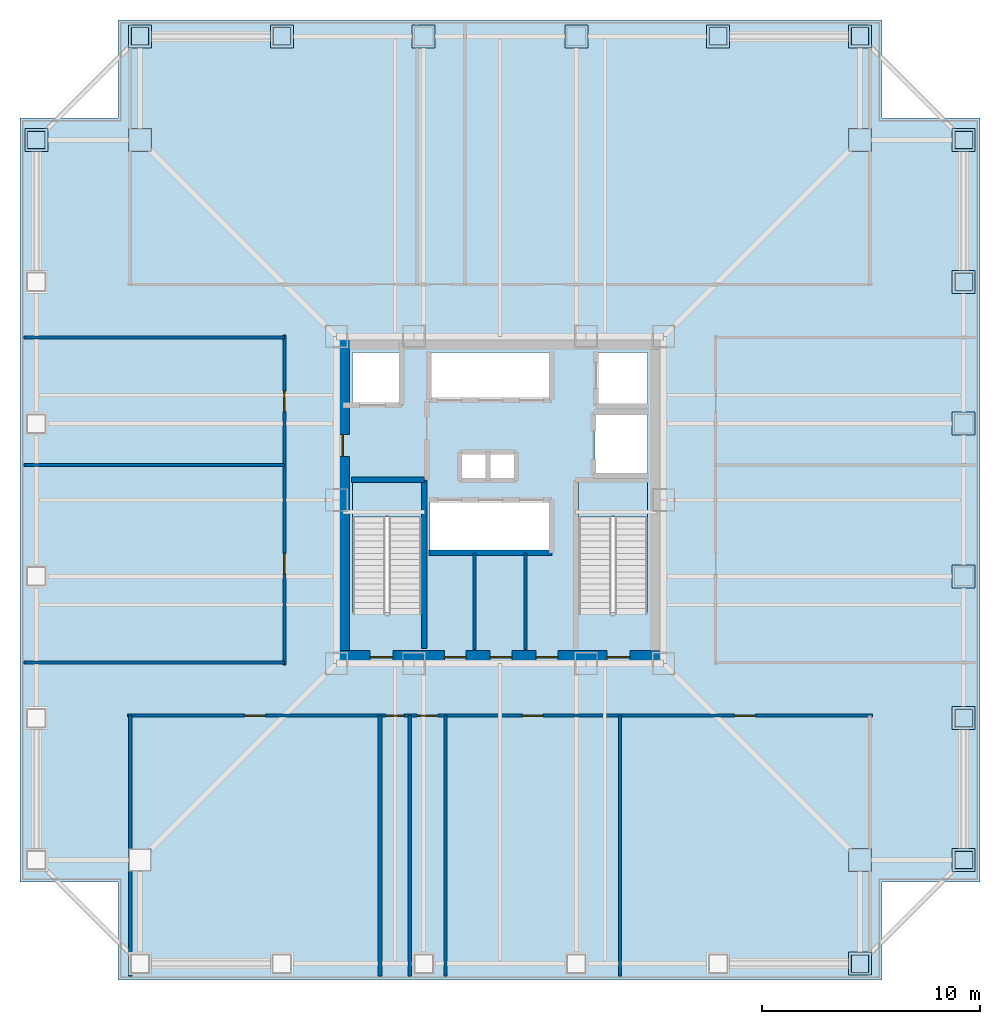
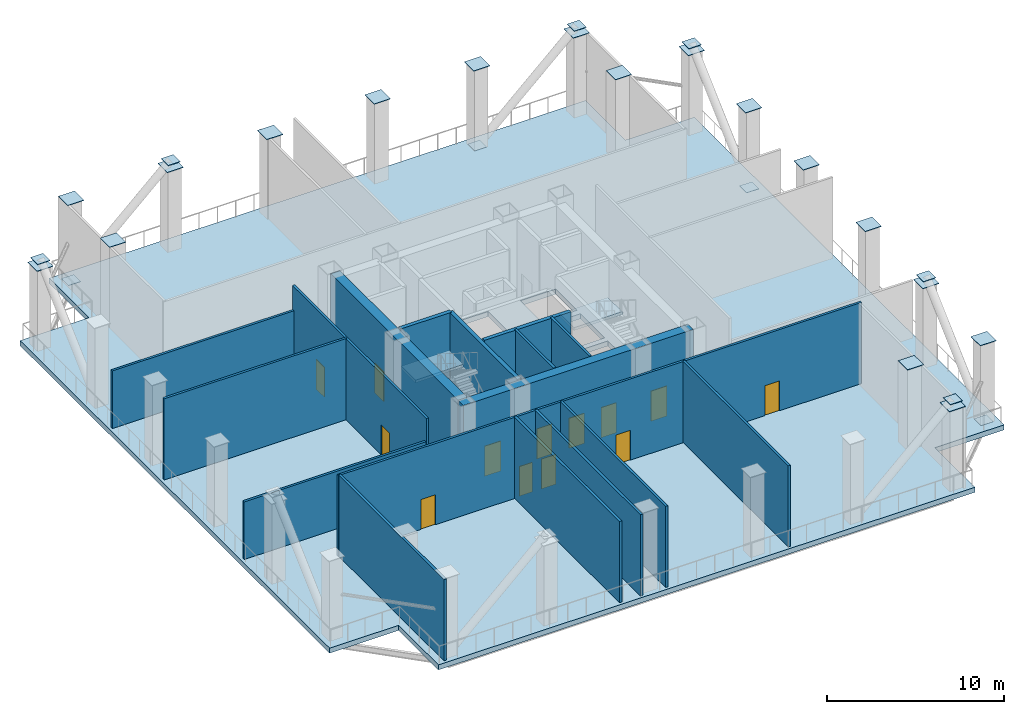
# One storey, part 2 of 7: 27 plates, 17 walls, 13 doors, 3 slabs, 13 openings, 2 elements without a shape of their own.
"""IFC4 building model written with IfcOpenShell, lengths in metres."""

from ifc_helpers import new_model, si_unit, direction, frame, frame_2d, origin, origin_2d, place, context, subcontext, project, spatial, polyline, rectangle, outline, extrude, material, layer, layer_set, type_object, element, fill, aggregate, save


model = new_model("IFC4")

# Units and contexts
model_context = context("Model", 3, precision=1e-05, world=origin(), true_north=direction((0.0, 1.0)))
body_context = subcontext(model_context, "Body", "Model", "MODEL_VIEW")
ifc_project = project(units=[si_unit("LENGTHUNIT", "METRE"), si_unit("AREAUNIT", "SQUARE_METRE"), si_unit("VOLUMEUNIT", "CUBIC_METRE"), si_unit("PLANEANGLEUNIT", "RADIAN"), si_unit("MASSUNIT", "GRAM", prefix="KILO")], contexts=[model_context])

# Site, building, storey
site_placement = place(None, origin())
site = spatial("IfcSite", under=ifc_project, at=site_placement, CompositionType="ELEMENT")
building_placement = place(site_placement, origin())
building = spatial("IfcBuilding", under=site, at=building_placement, Name="Trevonay Congress Spire", CompositionType="ELEMENT")
storey_placement = place(building_placement, frame((0.0, 0.0, 160.199951171875)))
storey = spatial("IfcBuildingStorey", under=building, at=storey_placement, Name="L41", CompositionType="ELEMENT", Elevation=160.199951171875)

# Plates
ifc_material_1 = material(Name="Steel ASTM A572 Grade 50", Category="steel")
ifc_layer_1 = layer(ifc_material_1, 0.034912109375, Name="Steel ASTM A572 Grade 50")
ifc_layer_set_1 = layer_set([ifc_layer_1], Name="Steel ASTM A572 Grade 50")
plate_type_1 = type_object("IfcPlateType", Name="PLT-ENDCAP-EXT-105", PredefinedType="USERDEFINED", material=ifc_layer_set_1)
for number, where, z_axis, x_axis, name in (
    (1, (-16.5, 21.25, 5.58251953125), (0.0, 0.0, 1.0), (1.0, 0.0, 0.0), "L41 hollow column end-cap plate at TN-1"),
    (2, (21.25, -16.5, 5.58251953125), (0.0, 0.0, 1.0), (1.0, 0.0, 0.0), "L41 hollow column end-cap plate at TE-1"),
    (3, (-10.0, 21.25, 5.58251953125), (0.0, 0.0, 1.0), (1.0, 0.0, 0.0), "L41 hollow column end-cap plate at TN-2"),
    (4, (21.25, -10.0, 5.58251953125), (0.0, 0.0, 1.0), (1.0, 0.0, 0.0), "L41 hollow column end-cap plate at TE-2"),
    (5, (-3.5, 21.25, 5.58251953125), (0.0, 0.0, 1.0), (1.0, 0.0, 0.0), "L41 hollow column end-cap plate at TN-3"),
    (6, (21.25, -3.5, 5.58251953125), (0.0, 0.0, 1.0), (1.0, 0.0, 0.0), "L41 hollow column end-cap plate at TE-3"),
    (7, (3.5, 21.25, 5.58251953125), (0.0, 0.0, 1.0), (1.0, 0.0, 0.0), "L41 hollow column end-cap plate at TN-4"),
    (8, (21.25, 3.5, 5.58251953125), (0.0, 0.0, 1.0), (1.0, 0.0, 0.0), "L41 hollow column end-cap plate at TE-4"),
    (9, (10.0, 21.25, 5.58251953125), (0.0, 0.0, 1.0), (1.0, 0.0, 0.0), "L41 hollow column end-cap plate at TN-5"),
    (10, (21.25, 10.0, 5.58251953125), (0.0, 0.0, 1.0), (1.0, 0.0, 0.0), "L41 hollow column end-cap plate at TE-5"),
    (11, (16.5, -21.25, 5.58251953125), (0.0, 0.0, 1.0), (1.0, 0.0, 0.0), "L41 hollow column end-cap plate at TS-6"),
    (12, (16.5, 21.25, 5.58251953125), (0.0, 0.0, 1.0), (1.0, 0.0, 0.0), "L41 hollow column end-cap plate at TN-6"),
    (13, (-21.25, 16.5, 5.58251953125), (0.0, 0.0, 1.0), (1.0, 0.0, 0.0), "L41 hollow column end-cap plate at TW-6"),
    (14, (21.25, 16.5, 5.58251953125), (0.0, 0.0, 1.0), (1.0, 0.0, 0.0), "L41 hollow column end-cap plate at TE-6"),
    (15, (16.5, -16.5, 5.58251953125), (0.0, 0.0, 1.0), (1.0, 0.0, 0.0), "L41 hollow column end-cap plate at NC-SE"),
    (16, (16.5, 16.5, 5.58251953125), (0.0, 0.0, 1.0), (1.0, 0.0, 0.0), "L41 hollow column end-cap plate at NC-NE"),
    (17, (-16.5, 16.5, 5.58251953125), (0.0, 0.0, 1.0), (1.0, 0.0, 0.0), "L41 hollow column end-cap plate at NC-NW"),
):
    element("IfcPlate", number, at=place(storey_placement, frame(where, z_axis=z_axis, x_axis=x_axis)), inside=storey, type_object=plate_type_1, Name=name, ObjectType="CAP_PLATE", PredefinedType="USERDEFINED", context=body_context, shape_type="SweptSolid", body=[
        extrude(rectangle(XDim=1.050048828125, YDim=1.050048828125, at=origin_2d()), origin(), (0.0, 0.0, 1.0), 0.034912109375),
    ])
ifc_layer_2 = layer(ifc_material_1, 0.030029296875, Name="Steel ASTM A572 Grade 50")
ifc_layer_set_2 = layer_set([ifc_layer_2], Name="Steel ASTM A572 Grade 50")
plate_type_2 = type_object("IfcPlateType", Name="PLT-ENDCAP-EXT-80", PredefinedType="USERDEFINED", material=ifc_layer_set_2)
for number, where, z_axis, x_axis, name in (
    (18, (16.5, -21.25, 5.94482421875), (0.0, 0.0, 1.0), (1.0, 0.0, 0.0), "L41 wind portal strut sealed end-cap plate S4-B"),
    (19, (-16.5, 21.25, -0.05517578125), (0.0, 0.0, 1.0), (1.0, 0.0, 0.0), "L41 wind portal strut sealed end-cap plate N0-A"),
    (20, (-10.0, 21.25, 5.94482421875), (0.0, 0.0, 1.0), (1.0, 0.0, 0.0), "L41 wind portal strut sealed end-cap plate N0-B"),
    (21, (10.0, 21.25, -0.05517578125), (0.0, 0.0, 1.0), (1.0, 0.0, 0.0), "L41 wind portal strut sealed end-cap plate N4-A"),
    (22, (16.5, 21.25, 5.94482421875), (0.0, 0.0, 1.0), (1.0, 0.0, 0.0), "L41 wind portal strut sealed end-cap plate N4-B"),
    (23, (-21.25, 16.5, 5.94482421875), (0.0, 0.0, 1.0), (1.0, 0.0, 0.0), "L41 wind portal strut sealed end-cap plate W4-B"),
    (24, (21.25, -16.5, -0.05517578125), (0.0, 0.0, 1.0), (1.0, 0.0, 0.0), "L41 wind portal strut sealed end-cap plate E0-A"),
    (25, (21.25, -10.0, 5.94482421875), (0.0, 0.0, 1.0), (1.0, 0.0, 0.0), "L41 wind portal strut sealed end-cap plate E0-B"),
    (26, (21.25, 10.0, -0.05517578125), (0.0, 0.0, 1.0), (1.0, 0.0, 0.0), "L41 wind portal strut sealed end-cap plate E4-A"),
    (27, (21.25, 16.5, 5.94482421875), (0.0, 0.0, 1.0), (1.0, 0.0, 0.0), "L41 wind portal strut sealed end-cap plate E4-B"),
):
    element("IfcPlate", number, at=place(storey_placement, frame(where, z_axis=z_axis, x_axis=x_axis)), inside=storey, type_object=plate_type_2, Name=name, ObjectType="CAP_PLATE", PredefinedType="USERDEFINED", context=body_context, shape_type="SweptSolid", body=[
        extrude(rectangle(XDim=0.800048828125, YDim=0.800048828125, at=origin_2d()), origin(), (0.0, 0.0, 1.0), 0.030029296875),
    ])

# Stair, slab
ifc_material_2 = material(Name="Concrete C40/50", Category="concrete")
stair_type_1 = type_object("IfcStairType", Name="STR-ST-1", PredefinedType="HALF_TURN_STAIR", material=ifc_material_2)
stair_1_placement = place(storey_placement, origin())
stair_1 = element("IfcStair", 28, at=stair_1_placement, inside=storey, type_object=stair_type_1, Name="L41 Protected Exit Stair ST-1", PredefinedType="HALF_TURN_STAIR")
ifc_layer_3 = layer(ifc_material_2, 0.199951171875, Name="Concrete C40/50")
ifc_layer_set_3 = layer_set([ifc_layer_3], Name="Concrete C40/50")
slab_type_1 = type_object("IfcSlabType", Name="SLB-STAIR-LAND-200", PredefinedType="LANDING", material=ifc_layer_set_3)
slab_1_placement = place(storey_placement, frame((0.0, 0.0, 2.800048828125)))
slab_1 = element("IfcSlab", 29, at=slab_1_placement, type_object=slab_type_1, Name="ST-1 landing 1", PredefinedType="LANDING", context=body_context, shape_type="SweptSolid", body=[
    extrude(outline(polyline([(-3.60009765625, -0.77001953125), (-3.60009765625, 0.85009765625), (-6.75, 0.85009765625), (-6.75, -0.77001953125), (-3.60009765625, -0.77001953125)])), origin(), (0.0, 0.0, 1.0), 0.199951171875),
])
aggregate(stair_1, [slab_1])

stair_type_2 = type_object("IfcStairType", Name="STR-ST-2", PredefinedType="HALF_TURN_STAIR", material=ifc_material_2)
stair_2_placement = place(storey_placement, origin())
stair_2 = element("IfcStair", 30, at=stair_2_placement, inside=storey, type_object=stair_type_2, Name="L41 Protected Exit Stair ST-2", PredefinedType="HALF_TURN_STAIR")
slab_2_placement = place(storey_placement, frame((0.0, 0.0, 2.800048828125)))
slab_2 = element("IfcSlab", 31, at=slab_2_placement, type_object=slab_type_1, Name="ST-2 landing 1", PredefinedType="LANDING", context=body_context, shape_type="SweptSolid", body=[
    extrude(outline(polyline([(6.75, -0.77001953125), (6.75, 0.85009765625), (3.60009765625, 0.85009765625), (3.60009765625, -0.77001953125), (6.75, -0.77001953125)])), origin(), (0.0, 0.0, 1.0), 0.199951171875),
])
aggregate(stair_2, [slab_2])

# Slab
ifc_layer_4 = layer(ifc_material_2, 0.35009765625, Name="Concrete C40/50")
ifc_layer_set_4 = layer_set([ifc_layer_4], Name="Concrete C40/50")
slab_type_2 = type_object("IfcSlabType", Name="SLB-WIND-350", PredefinedType="FLOOR", material=ifc_layer_set_4)
slab_3_placement = place(storey_placement, frame((0.0, 0.0, -0.349853515625)))
element("IfcSlab", 32, at=slab_3_placement, inside=storey, type_object=slab_type_2, Name="L41 structural floor slab", PredefinedType="FLOOR", context=body_context, shape_type="SweptSolid", body=[
    extrude(outline(polyline([(-17.5, -22.0), (17.5, -22.0), (17.5, -17.5), (22.0, -17.5), (22.0, 17.5), (17.5, 17.5), (17.5, 22.0), (-17.5, 22.0), (-17.5, 17.5), (-22.0, 17.5), (-22.0, -17.5), (-17.5, -17.5), (-17.5, -22.0)]), holes=[polyline([(-3.60009765625, -5.14990234375), (-3.60009765625, 0.85009765625), (-6.75, 0.85009765625), (-6.75, -5.14990234375), (-3.60009765625, -5.14990234375)]), polyline([(6.75, -5.14990234375), (6.75, 0.85009765625), (3.60009765625, 0.85009765625), (3.60009765625, -5.14990234375), (6.75, -5.14990234375)]), polyline([(-3.199951171875, -2.35009765625), (2.340087890625, -2.35009765625), (2.340087890625, -0.050048828125), (-3.199951171875, -0.050048828125), (-3.199951171875, -2.35009765625)]), polyline([(-3.199951171875, 4.64990234375), (2.340087890625, 4.64990234375), (2.340087890625, 6.75), (-3.199951171875, 6.75), (-3.199951171875, 4.64990234375)]), polyline([(-6.75, 4.35009765625), (-4.449951171875, 4.35009765625), (-4.449951171875, 6.75), (-6.75, 6.75), (-6.75, 4.35009765625)]), polyline([(4.449951171875, 4.35009765625), (6.75, 4.35009765625), (6.75, 6.75), (4.449951171875, 6.75), (4.449951171875, 4.35009765625)]), polyline([(4.35009765625, 1.199951171875), (6.75, 1.199951171875), (6.75, 3.949951171875), (4.35009765625, 3.949951171875), (4.35009765625, 1.199951171875)]), polyline([(-1.800048828125, 0.949951171875), (0.699951171875, 0.949951171875), (0.699951171875, 2.14990234375), (-1.800048828125, 2.14990234375), (-1.800048828125, 0.949951171875)])]), origin(), (0.0, 0.0, 1.0), 0.349853515625),
])

# Wall, openings, doors
ifc_material_3 = material(Name="Concrete C60/75", Category="concrete")
ifc_layer_5 = layer(ifc_material_3, 0.60009765625, Name="Concrete C60/75")
ifc_layer_set_5 = layer_set([ifc_layer_5], Name="Concrete C60/75")
wall_type_1 = type_object("IfcWallType", Name="WAL-CORE-600", PredefinedType="SHEAR", material=ifc_layer_set_5)
wall_1_placement = place(storey_placement, frame((-7.5, -7.199951171875, 0.0), z_axis=(0.0, 0.0, 1.0), x_axis=(1.0, 0.0, 0.0)))
wall_1 = element("IfcWall", 33, at=wall_1_placement, inside=storey, type_object=wall_type_1, Name="L41 South structural core shear wall", PredefinedType="SHEAR", context=body_context, shape_type="SweptSolid", body=[
    extrude(rectangle(XDim=15.0, YDim=0.60009765625, at=frame_2d((7.5, 0.0))), origin(), (0.0, 0.0, 1.0), 5.60009765625),
])
opening_1_placement = place(wall_1_placement, frame((1.550048828125, 0.0, 0.0)))
opening_1 = element("IfcOpeningElement", 34, at=opening_1_placement, cuts=wall_1, Name="Opening D05", PredefinedType="OPENING", context=body_context, shape_type="SweptSolid", body=[
    extrude(rectangle(XDim=1.050048828125, YDim=2.080078125, at=frame_2d((0.52490234375, 1.0400390625))), frame((0.0, 0.31005859375, 0.0), z_axis=(0.0, -1.0, 0.0), x_axis=(1.0, 0.0, 0.0)), (0.0, 0.0, 1.0), 0.6201171875),
])
opening_2_placement = place(wall_1_placement, frame((12.39990234375, 0.0, 0.0)))
opening_2 = element("IfcOpeningElement", 35, at=opening_2_placement, cuts=wall_1, Name="Opening D05", PredefinedType="OPENING", context=body_context, shape_type="SweptSolid", body=[
    extrude(rectangle(XDim=1.050048828125, YDim=2.080078125, at=frame_2d((0.52490234375, 1.0400390625))), frame((0.0, 0.31005859375, 0.0), z_axis=(0.0, -1.0, 0.0), x_axis=(1.0, 0.0, 0.0)), (0.0, 0.0, 1.0), 0.6201171875),
])
opening_3_placement = place(wall_1_placement, frame((4.949951171875, 0.0, 0.0)))
opening_3 = element("IfcOpeningElement", 36, at=opening_3_placement, cuts=wall_1, Name="Opening D06", PredefinedType="OPENING", context=body_context, shape_type="SweptSolid", body=[
    extrude(rectangle(XDim=1.0, YDim=2.080078125, at=frame_2d((0.5, 1.0400390625))), frame((0.0, 0.31005859375, 0.0), z_axis=(0.0, -1.0, 0.0), x_axis=(1.0, 0.0, 0.0)), (0.0, 0.0, 1.0), 0.6201171875),
])
opening_4_placement = place(wall_1_placement, frame((7.050048828125, 0.0, 0.0)))
opening_4 = element("IfcOpeningElement", 37, at=opening_4_placement, cuts=wall_1, Name="Opening D06", PredefinedType="OPENING", context=body_context, shape_type="SweptSolid", body=[
    extrude(rectangle(XDim=1.0, YDim=2.080078125, at=frame_2d((0.5, 1.0400390625))), frame((0.0, 0.31005859375, 0.0), z_axis=(0.0, -1.0, 0.0), x_axis=(1.0, 0.0, 0.0)), (0.0, 0.0, 1.0), 0.6201171875),
])
opening_5_placement = place(wall_1_placement, frame((9.14990234375, 0.0, 0.0)))
opening_5 = element("IfcOpeningElement", 38, at=opening_5_placement, cuts=wall_1, Name="Opening D06", PredefinedType="OPENING", context=body_context, shape_type="SweptSolid", body=[
    extrude(rectangle(XDim=1.0, YDim=2.080078125, at=frame_2d((0.5, 1.0400390625))), frame((0.0, 0.31005859375, 0.0), z_axis=(0.0, -1.0, 0.0), x_axis=(1.0, 0.0, 0.0)), (0.0, 0.0, 1.0), 0.6201171875),
])
door_type_1 = type_object("IfcDoorType", Name="DOR-FIRE-100", OperationType="NOTDEFINED", PredefinedType="DOOR", material=ifc_material_1)
door_1_placement = place(opening_3_placement, origin())
door_1 = element("IfcDoor", 39, at=door_1_placement, inside=storey, type_object=door_type_1, Name="L41 South Core Room 1 Door", OperationType="SINGLE_SWING_RIGHT", OverallHeight=2.080078125, OverallWidth=1.0, PredefinedType="DOOR", context=body_context, shape_type="SweptSolid", body=[
    extrude(rectangle(XDim=1.0, YDim=2.080078125, at=frame_2d((0.5, 1.0400390625))), frame((0.0, 0.02490234375, 0.0), z_axis=(0.0, -1.0, 0.0), x_axis=(1.0, 0.0, 0.0)), (0.0, 0.0, 1.0), 0.050048828125),
])
fill(opening_3, door_1)
door_2_placement = place(opening_4_placement, origin())
door_2 = element("IfcDoor", 40, at=door_2_placement, inside=storey, type_object=door_type_1, Name="L41 South Core Room 2 Door", OperationType="SINGLE_SWING_LEFT", OverallHeight=2.080078125, OverallWidth=1.0, PredefinedType="DOOR", context=body_context, shape_type="SweptSolid", body=[
    extrude(rectangle(XDim=1.0, YDim=2.080078125, at=frame_2d((0.5, 1.0400390625))), frame((0.0, 0.02490234375, 0.0), z_axis=(0.0, -1.0, 0.0), x_axis=(1.0, 0.0, 0.0)), (0.0, 0.0, 1.0), 0.050048828125),
])
fill(opening_4, door_2)
door_3_placement = place(opening_5_placement, origin())
door_3 = element("IfcDoor", 41, at=door_3_placement, inside=storey, type_object=door_type_1, Name="L41 South Core Room 3 Door", OperationType="SINGLE_SWING_RIGHT", OverallHeight=2.080078125, OverallWidth=1.0, PredefinedType="DOOR", context=body_context, shape_type="SweptSolid", body=[
    extrude(rectangle(XDim=1.0, YDim=2.080078125, at=frame_2d((0.5, 1.0400390625))), frame((0.0, 0.02490234375, 0.0), z_axis=(0.0, -1.0, 0.0), x_axis=(1.0, 0.0, 0.0)), (0.0, 0.0, 1.0), 0.050048828125),
])
fill(opening_5, door_3)
door_type_2 = type_object("IfcDoorType", Name="DOR-STAIR-110", OperationType="NOTDEFINED", PredefinedType="DOOR", material=ifc_material_1)
door_4_placement = place(opening_1_placement, origin())
door_4 = element("IfcDoor", 42, at=door_4_placement, inside=storey, type_object=door_type_2, Name="L41 Protected Stair ST-1 Door", OperationType="SINGLE_SWING_LEFT", OverallHeight=2.080078125, OverallWidth=1.050048828125, PredefinedType="DOOR", context=body_context, shape_type="SweptSolid", body=[
    extrude(rectangle(XDim=1.050048828125, YDim=2.080078125, at=frame_2d((0.52490234375, 1.0400390625))), frame((0.0, 0.02490234375, 0.0), z_axis=(0.0, -1.0, 0.0), x_axis=(1.0, 0.0, 0.0)), (0.0, 0.0, 1.0), 0.050048828125),
])
fill(opening_1, door_4)
door_5_placement = place(opening_2_placement, origin())
door_5 = element("IfcDoor", 43, at=door_5_placement, inside=storey, type_object=door_type_2, Name="L41 Protected Stair ST-2 Door", OperationType="SINGLE_SWING_RIGHT", OverallHeight=2.080078125, OverallWidth=1.050048828125, PredefinedType="DOOR", context=body_context, shape_type="SweptSolid", body=[
    extrude(rectangle(XDim=1.050048828125, YDim=2.080078125, at=frame_2d((0.52490234375, 1.0400390625))), frame((0.0, 0.02490234375, 0.0), z_axis=(0.0, -1.0, 0.0), x_axis=(1.0, 0.0, 0.0)), (0.0, 0.0, 1.0), 0.050048828125),
])
fill(opening_2, door_5)

# Wall, opening, door
wall_2_placement = place(storey_placement, frame((-7.199951171875, -7.5, 0.0), z_axis=(0.0, 0.0, 1.0), x_axis=(0.0, 1.0, 0.0)))
wall_2 = element("IfcWall", 44, at=wall_2_placement, inside=storey, type_object=wall_type_1, Name="L41 West structural core shear wall", PredefinedType="SHEAR", context=body_context, shape_type="SweptSolid", body=[
    extrude(rectangle(XDim=15.0, YDim=0.60009765625, at=frame_2d((7.5, 0.0))), origin(), (0.0, 0.0, 1.0), 5.60009765625),
])
opening_6_placement = place(wall_2_placement, frame((9.5, 0.0, 0.0)))
opening_6 = element("IfcOpeningElement", 45, at=opening_6_placement, cuts=wall_2, Name="Opening D06", PredefinedType="OPENING", context=body_context, shape_type="SweptSolid", body=[
    extrude(rectangle(XDim=1.0, YDim=2.080078125, at=frame_2d((0.5, 1.0400390625))), frame((0.0, 0.31005859375, 0.0), z_axis=(0.0, -1.0, 0.0), x_axis=(1.0, 0.0, 0.0)), (0.0, 0.0, 1.0), 0.6201171875),
])
door_6_placement = place(opening_6_placement, origin())
door_6 = element("IfcDoor", 46, at=door_6_placement, inside=storey, type_object=door_type_1, Name="L41 Firefighting Lift Lobby West Corridor Door", OperationType="SINGLE_SWING_LEFT", OverallHeight=2.080078125, OverallWidth=1.0, PredefinedType="DOOR", context=body_context, shape_type="SweptSolid", body=[
    extrude(rectangle(XDim=1.0, YDim=2.080078125, at=frame_2d((0.5, 1.0400390625))), frame((0.0, 0.02490234375, 0.0), z_axis=(0.0, -1.0, 0.0), x_axis=(1.0, 0.0, 0.0)), (0.0, 0.0, 1.0), 0.050048828125),
])
fill(opening_6, door_6)

# Wall, openings, doors
ifc_layer_6 = layer(ifc_material_2, 0.14990234375, Name="Concrete C40/50")
ifc_layer_set_6 = layer_set([ifc_layer_6], Name="Concrete C40/50")
wall_type_2 = type_object("IfcWallType", Name="WAL-CORR-150", PredefinedType="PARTITIONING", material=ifc_layer_set_6)
wall_3_placement = place(storey_placement, frame((-17.070068359375, -9.8798828125, 0.0), z_axis=(0.0, 0.0, 1.0), x_axis=(1.0, 0.0, 0.0)))
wall_3 = element("IfcWall", 47, at=wall_3_placement, inside=storey, type_object=wall_type_2, Name="L41 interior wall WP-L41S-COR", PredefinedType="PARTITIONING", context=body_context, shape_type="SweptSolid", body=[
    extrude(rectangle(XDim=34.14013671875, YDim=0.14990234375, at=frame_2d((17.070068359375, 0.0))), origin(), (0.0, 0.0, 1.0), 5.60009765625),
])
opening_7_placement = place(wall_3_placement, frame((5.3701171875, 0.0, 0.0)))
opening_7 = element("IfcOpeningElement", 48, at=opening_7_placement, cuts=wall_3, Name="Opening D07", PredefinedType="OPENING", context=body_context, shape_type="SweptSolid", body=[
    extrude(rectangle(XDim=0.949951171875, YDim=2.06005859375, at=frame_2d((0.47509765625, 1.030029296875))), frame((0.0, 0.0849609375, 0.0), z_axis=(0.0, -1.0, 0.0), x_axis=(1.0, 0.0, 0.0)), (0.0, 0.0, 1.0), 0.169921875),
])
opening_8_placement = place(wall_3_placement, frame((11.824951171875, 0.0, 0.0)))
opening_8 = element("IfcOpeningElement", 49, at=opening_8_placement, cuts=wall_3, Name="Opening D10", PredefinedType="OPENING", context=body_context, shape_type="SweptSolid", body=[
    extrude(rectangle(XDim=0.85009765625, YDim=2.050048828125, at=frame_2d((0.425048828125, 1.02490234375))), frame((0.0, 0.0849609375, 0.0), z_axis=(0.0, -1.0, 0.0), x_axis=(1.0, 0.0, 0.0)), (0.0, 0.0, 1.0), 0.169921875),
])
opening_9_placement = place(wall_3_placement, frame((13.27490234375, 0.0, 0.0)))
opening_9 = element("IfcOpeningElement", 50, at=opening_9_placement, cuts=wall_3, Name="Opening D07", PredefinedType="OPENING", context=body_context, shape_type="SweptSolid", body=[
    extrude(rectangle(XDim=0.949951171875, YDim=2.06005859375, at=frame_2d((0.47509765625, 1.030029296875))), frame((0.0, 0.0849609375, 0.0), z_axis=(0.0, -1.0, 0.0), x_axis=(1.0, 0.0, 0.0)), (0.0, 0.0, 1.0), 0.169921875),
])
opening_10_placement = place(wall_3_placement, frame((18.094970703125, 0.0, 0.0)))
opening_10 = element("IfcOpeningElement", 51, at=opening_10_placement, cuts=wall_3, Name="Opening D07", PredefinedType="OPENING", context=body_context, shape_type="SweptSolid", body=[
    extrude(rectangle(XDim=0.949951171875, YDim=2.06005859375, at=frame_2d((0.47509765625, 1.030029296875))), frame((0.0, 0.0849609375, 0.0), z_axis=(0.0, -1.0, 0.0), x_axis=(1.0, 0.0, 0.0)), (0.0, 0.0, 1.0), 0.169921875),
])
opening_11_placement = place(wall_3_placement, frame((27.820068359375, 0.0, 0.0)))
opening_11 = element("IfcOpeningElement", 52, at=opening_11_placement, cuts=wall_3, Name="Opening D07", PredefinedType="OPENING", context=body_context, shape_type="SweptSolid", body=[
    extrude(rectangle(XDim=0.949951171875, YDim=2.06005859375, at=frame_2d((0.47509765625, 1.030029296875))), frame((0.0, 0.0849609375, 0.0), z_axis=(0.0, -1.0, 0.0), x_axis=(1.0, 0.0, 0.0)), (0.0, 0.0, 1.0), 0.169921875),
])
ifc_material_4 = material(Name="Pale Anodised Aluminium EN AW-6063-T6", Category="aluminium")
door_type_3 = type_object("IfcDoorType", Name="DOR-OFFICE-95", OperationType="NOTDEFINED", PredefinedType="DOOR", material=ifc_material_4)
door_7_placement = place(opening_7_placement, origin())
door_7 = element("IfcDoor", 53, at=door_7_placement, inside=storey, type_object=door_type_3, Name="L41 Refuge Area South-West Door", OperationType="SINGLE_SWING_RIGHT", OverallHeight=2.06005859375, OverallWidth=0.949951171875, PredefinedType="DOOR", context=body_context, shape_type="SweptSolid", body=[
    extrude(rectangle(XDim=0.949951171875, YDim=2.06005859375, at=frame_2d((0.47509765625, 1.030029296875))), frame((0.0, 0.02490234375, 0.0), z_axis=(0.0, -1.0, 0.0), x_axis=(1.0, 0.0, 0.0)), (0.0, 0.0, 1.0), 0.050048828125),
])
fill(opening_7, door_7)
door_8_placement = place(opening_9_placement, origin())
door_8 = element("IfcDoor", 54, at=door_8_placement, inside=storey, type_object=door_type_3, Name="L41 Floor Supplies and Copy Room Door", OperationType="SINGLE_SWING_RIGHT", OverallHeight=2.06005859375, OverallWidth=0.949951171875, PredefinedType="DOOR", context=body_context, shape_type="SweptSolid", body=[
    extrude(rectangle(XDim=0.949951171875, YDim=2.06005859375, at=frame_2d((0.47509765625, 1.030029296875))), frame((0.0, 0.02490234375, 0.0), z_axis=(0.0, -1.0, 0.0), x_axis=(1.0, 0.0, 0.0)), (0.0, 0.0, 1.0), 0.050048828125),
])
fill(opening_9, door_8)
door_9_placement = place(opening_10_placement, origin())
door_9 = element("IfcDoor", 55, at=door_9_placement, inside=storey, type_object=door_type_3, Name="L41 Primary AHU Supply Plant Door", OperationType="SINGLE_SWING_LEFT", OverallHeight=2.06005859375, OverallWidth=0.949951171875, PredefinedType="DOOR", context=body_context, shape_type="SweptSolid", body=[
    extrude(rectangle(XDim=0.949951171875, YDim=2.06005859375, at=frame_2d((0.47509765625, 1.030029296875))), frame((0.0, 0.02490234375, 0.0), z_axis=(0.0, -1.0, 0.0), x_axis=(1.0, 0.0, 0.0)), (0.0, 0.0, 1.0), 0.050048828125),
])
fill(opening_10, door_9)
door_10_placement = place(opening_11_placement, origin())
door_10 = element("IfcDoor", 56, at=door_10_placement, inside=storey, type_object=door_type_3, Name="L41 Heat-Recovery Exhaust Plant Door", OperationType="SINGLE_SWING_RIGHT", OverallHeight=2.06005859375, OverallWidth=0.949951171875, PredefinedType="DOOR", context=body_context, shape_type="SweptSolid", body=[
    extrude(rectangle(XDim=0.949951171875, YDim=2.06005859375, at=frame_2d((0.47509765625, 1.030029296875))), frame((0.0, 0.02490234375, 0.0), z_axis=(0.0, -1.0, 0.0), x_axis=(1.0, 0.0, 0.0)), (0.0, 0.0, 1.0), 0.050048828125),
])
fill(opening_11, door_10)
door_type_4 = type_object("IfcDoorType", Name="DOR-WC-85", OperationType="NOTDEFINED", PredefinedType="DOOR", material=ifc_material_4)
door_11_placement = place(opening_8_placement, origin())
door_11 = element("IfcDoor", 57, at=door_11_placement, inside=storey, type_object=door_type_4, Name="L41 Accessible Refuge WC Door", OperationType="SINGLE_SWING_LEFT", OverallHeight=2.050048828125, OverallWidth=0.85009765625, PredefinedType="DOOR", context=body_context, shape_type="SweptSolid", body=[
    extrude(rectangle(XDim=0.85009765625, YDim=2.050048828125, at=frame_2d((0.425048828125, 1.02490234375))), frame((0.0, 0.02490234375, 0.0), z_axis=(0.0, -1.0, 0.0), x_axis=(1.0, 0.0, 0.0)), (0.0, 0.0, 1.0), 0.050048828125),
])
fill(opening_8, door_11)

wall_4_placement = place(storey_placement, frame((-9.8798828125, -7.570068359375, 0.0), z_axis=(0.0, 0.0, 1.0), x_axis=(0.0, 1.0, 0.0)))
wall_4 = element("IfcWall", 58, at=wall_4_placement, inside=storey, type_object=wall_type_2, Name="L41 interior wall WP-L41W-COR", PredefinedType="PARTITIONING", context=body_context, shape_type="SweptSolid", body=[
    extrude(rectangle(XDim=15.14013671875, YDim=0.14990234375, at=frame_2d((7.570068359375, 0.0))), origin(), (0.0, 0.0, 1.0), 5.60009765625),
])
opening_12_placement = place(wall_4_placement, frame((4.169921875, 0.0, 0.0)))
opening_12 = element("IfcOpeningElement", 59, at=opening_12_placement, cuts=wall_4, Name="Opening D07", PredefinedType="OPENING", context=body_context, shape_type="SweptSolid", body=[
    extrude(rectangle(XDim=0.949951171875, YDim=2.06005859375, at=frame_2d((0.47509765625, 1.030029296875))), frame((0.0, 0.0849609375, 0.0), z_axis=(0.0, -1.0, 0.0), x_axis=(1.0, 0.0, 0.0)), (0.0, 0.0, 1.0), 0.169921875),
])
opening_13_placement = place(wall_4_placement, frame((11.6201171875, 0.0, 0.0)))
opening_13 = element("IfcOpeningElement", 60, at=opening_13_placement, cuts=wall_4, Name="Opening D07", PredefinedType="OPENING", context=body_context, shape_type="SweptSolid", body=[
    extrude(rectangle(XDim=0.949951171875, YDim=2.06005859375, at=frame_2d((0.47509765625, 1.030029296875))), frame((0.0, 0.0849609375, 0.0), z_axis=(0.0, -1.0, 0.0), x_axis=(1.0, 0.0, 0.0)), (0.0, 0.0, 1.0), 0.169921875),
])
door_12_placement = place(opening_12_placement, origin())
door_12 = element("IfcDoor", 61, at=door_12_placement, inside=storey, type_object=door_type_3, Name="L41 Refuge Area West Door", OperationType="SINGLE_SWING_RIGHT", OverallHeight=2.06005859375, OverallWidth=0.949951171875, PredefinedType="DOOR", context=body_context, shape_type="SweptSolid", body=[
    extrude(rectangle(XDim=0.949951171875, YDim=2.06005859375, at=frame_2d((0.47509765625, 1.030029296875))), frame((0.0, 0.02490234375, 0.0), z_axis=(0.0, -1.0, 0.0), x_axis=(1.0, 0.0, 0.0)), (0.0, 0.0, 1.0), 0.050048828125),
])
fill(opening_12, door_12)
door_13_placement = place(opening_13_placement, origin())
door_13 = element("IfcDoor", 62, at=door_13_placement, inside=storey, type_object=door_type_3, Name="L41 Pressurization Fan Room West Door", OperationType="SINGLE_SWING_LEFT", OverallHeight=2.06005859375, OverallWidth=0.949951171875, PredefinedType="DOOR", context=body_context, shape_type="SweptSolid", body=[
    extrude(rectangle(XDim=0.949951171875, YDim=2.06005859375, at=frame_2d((0.47509765625, 1.030029296875))), frame((0.0, 0.02490234375, 0.0), z_axis=(0.0, -1.0, 0.0), x_axis=(1.0, 0.0, 0.0)), (0.0, 0.0, 1.0), 0.050048828125),
])
fill(opening_13, door_13)

# Walls
ifc_layer_7 = layer(ifc_material_2, 0.14990234375, Name="Concrete C40/50")
ifc_layer_set_7 = layer_set([ifc_layer_7], Name="Concrete C40/50")
wall_type_3 = type_object("IfcWallType", Name="WAL-PART-150", PredefinedType="PARTITIONING", material=ifc_layer_set_7)
for number, where, z_axis, x_axis, name in (
    (63, (-1.169921875, -6.85009765625, 0.0), (0.0, 0.0, 1.0), (0.0, 1.0, 0.0), "L41 interior wall CW-F2A-L41"),
    (64, (1.169921875, -6.85009765625, 0.0), (0.0, 0.0, 1.0), (0.0, 1.0, 0.0), "L41 interior wall CW-F2B-L41"),
):
    element("IfcWall", number, at=place(storey_placement, frame(where, z_axis=z_axis, x_axis=x_axis)), inside=storey, type_object=wall_type_3, Name=name, PredefinedType="PARTITIONING", context=body_context, shape_type="SweptSolid", body=[
        extrude(rectangle(XDim=4.420166015625, YDim=0.14990234375, at=frame_2d((2.2099609375, 0.0))), origin(), (0.0, 0.0, 1.0), 5.60009765625),
    ])
for number, where, z_axis, x_axis, name in (
    (65, (-2.5, -21.820068359375, 0.0), (0.0, 0.0, 1.0), (0.0, 1.0, 0.0), "L41 interior wall WP-L41S-DIV3"),
    (66, (5.5, -21.820068359375, 0.0), (0.0, 0.0, 1.0), (0.0, 1.0, 0.0), "L41 interior wall WP-L41S-DIV4"),
):
    element("IfcWall", number, at=place(storey_placement, frame(where, z_axis=z_axis, x_axis=x_axis)), inside=storey, type_object=wall_type_3, Name=name, PredefinedType="PARTITIONING", context=body_context, shape_type="SweptSolid", body=[
        extrude(rectangle(XDim=11.940185546875, YDim=0.14990234375, at=frame_2d((5.97021484375, 0.0))), origin(), (0.0, 0.0, 1.0), 5.60009765625),
    ])
wall_5_placement = place(storey_placement, frame((-21.820068359375, -7.449951171875, 0.0), z_axis=(0.0, 0.0, 1.0), x_axis=(1.0, 0.0, 0.0)))
element("IfcWall", 67, at=wall_5_placement, inside=storey, type_object=wall_type_3, Name="L41 interior wall WP-L41W-DIV1", PredefinedType="PARTITIONING", context=body_context, shape_type="SweptSolid", body=[
    extrude(rectangle(XDim=11.940185546875, YDim=0.14990234375, at=frame_2d((5.97021484375, 0.0))), origin(), (0.0, 0.0, 1.0), 3.97509765625),
])
wall_6_placement = place(storey_placement, frame((-21.820068359375, 1.60009765625, 0.0), z_axis=(0.0, 0.0, 1.0), x_axis=(1.0, 0.0, 0.0)))
element("IfcWall", 68, at=wall_6_placement, inside=storey, type_object=wall_type_3, Name="L41 interior wall WP-L41W-DIV2", PredefinedType="PARTITIONING", context=body_context, shape_type="SweptSolid", body=[
    extrude(rectangle(XDim=11.940185546875, YDim=0.14990234375, at=frame_2d((5.97021484375, 0.0))), origin(), (0.0, 0.0, 1.0), 5.60009765625),
])
wall_7_placement = place(storey_placement, frame((-21.820068359375, 7.449951171875, 0.0), z_axis=(0.0, 0.0, 1.0), x_axis=(1.0, 0.0, 0.0)))
element("IfcWall", 69, at=wall_7_placement, inside=storey, type_object=wall_type_3, Name="L41 interior wall WP-L41W-DIV3", PredefinedType="PARTITIONING", context=body_context, shape_type="SweptSolid", body=[
    extrude(rectangle(XDim=11.940185546875, YDim=0.14990234375, at=frame_2d((5.97021484375, 0.0))), origin(), (0.0, 0.0, 1.0), 3.97509765625),
])
ifc_layer_8 = layer(ifc_material_2, 0.25, Name="Concrete C40/50")
ifc_layer_set_8 = layer_set([ifc_layer_8], Name="Concrete C40/50")
wall_type_4 = type_object("IfcWallType", Name="WAL-SHAFT-250", PredefinedType="SHEAR", material=ifc_layer_set_8)
wall_8_placement = place(storey_placement, frame((-3.260009765625, -2.419921875, 0.0), z_axis=(0.0, 0.0, 1.0), x_axis=(1.0, 0.0, 0.0)))
element("IfcWall", 70, at=wall_8_placement, inside=storey, type_object=wall_type_4, Name="L41 interior shaft wall WSH-L41-B2-S", PredefinedType="SHEAR", context=body_context, shape_type="SweptSolid", body=[
    extrude(rectangle(XDim=5.639892578125, YDim=0.25, at=frame_2d((2.81982421875, 0.0))), origin(), (0.0, 0.0, 1.0), 5.60009765625),
])
ifc_layer_9 = layer(ifc_material_2, 0.25, Name="Concrete C40/50")
ifc_layer_set_9 = layer_set([ifc_layer_9], Name="Concrete C40/50")
wall_type_5 = type_object("IfcWallType", Name="WAL-SHAFT-LB-250", PredefinedType="SHEAR", material=ifc_layer_set_9)
wall_9_placement = place(storey_placement, frame((-3.469970703125, -6.800048828125, 0.0), z_axis=(0.0, 0.0, 1.0), x_axis=(0.0, 1.0, 0.0)))
element("IfcWall", 71, at=wall_9_placement, inside=storey, type_object=wall_type_5, Name="L41 interior shaft wall WSH-L41-ST1-E", PredefinedType="SHEAR", context=body_context, shape_type="SweptSolid", body=[
    extrude(rectangle(XDim=7.719970703125, YDim=0.25, at=frame_2d((3.85986328125, 0.0))), origin(), (0.0, 0.0, 1.0), 5.60009765625),
])
wall_10_placement = place(storey_placement, frame((-6.800048828125, 0.919921875, 0.0), z_axis=(0.0, 0.0, 1.0), x_axis=(1.0, 0.0, 0.0)))
element("IfcWall", 72, at=wall_10_placement, inside=storey, type_object=wall_type_5, Name="L41 interior shaft wall WSH-L41-ST1-N", PredefinedType="SHEAR", context=body_context, shape_type="SweptSolid", body=[
    extrude(rectangle(XDim=3.330078125, YDim=0.25, at=frame_2d((1.6650390625, 0.0))), origin(), (0.0, 0.0, 1.0), 5.60009765625),
])
ifc_layer_10 = layer(ifc_material_2, 0.1650390625, Name="Concrete C40/50")
ifc_layer_set_10 = layer_set([ifc_layer_10], Name="Concrete C40/50")
wall_type_6 = type_object("IfcWallType", Name="WAL-WET-165", PredefinedType="PLUMBINGWALL", material=ifc_layer_set_10)
for number, where, z_axis, x_axis, name in (
    (73, (-4.139892578125, -21.820068359375, 0.0), (0.0, 0.0, 1.0), (0.0, 1.0, 0.0), "L41 interior wall WP-L41S-WCS2"),
    (74, (-16.949951171875, -21.820068359375, 0.0), (0.0, 0.0, 1.0), (0.0, 1.0, 0.0), "L41 interior wall WP-L41S-DIV1"),
    (75, (-5.5, -21.820068359375, 0.0), (0.0, 0.0, 1.0), (0.0, 1.0, 0.0), "L41 interior wall WP-L41S-DIV2"),
):
    element("IfcWall", number, at=place(storey_placement, frame(where, z_axis=z_axis, x_axis=x_axis)), inside=storey, type_object=wall_type_6, Name=name, PredefinedType="PLUMBINGWALL", context=body_context, shape_type="SweptSolid", body=[
        extrude(rectangle(XDim=11.940185546875, YDim=0.1650390625, at=frame_2d((5.97021484375, 0.0))), origin(), (0.0, 0.0, 1.0), 5.60009765625),
    ])

save(model, "model.ifc")
